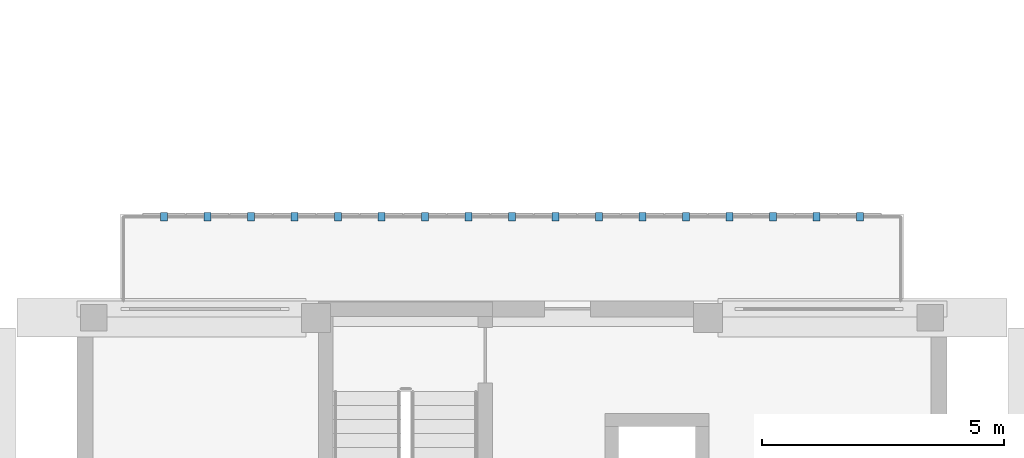
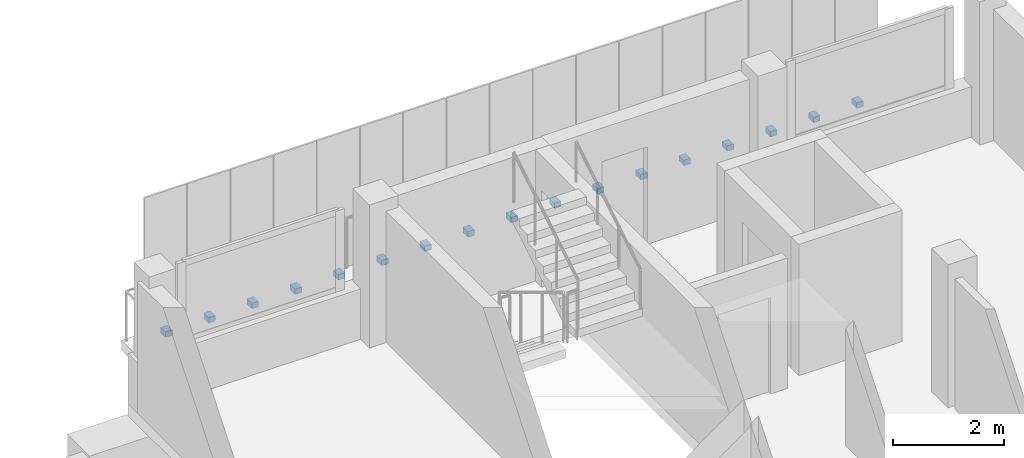
# One storey, part 28 of 41: 17 discrete accessories.
"""IFC4 building model written with IfcOpenShell, lengths in metres."""

from ifc_helpers import new_model, si_unit, derived_unit, direction, frame, origin, origin_2d, place, context, subcontext, project, spatial, rectangle, extrude, material, type_object, element, save


model = new_model("IFC4")

# Units and contexts
model_context = context("Model", 3, precision=1e-05, world=origin(), true_north=direction((0.0, 1.0)))
body_context = subcontext(model_context, "Body", "Model", "MODEL_VIEW")
ifc_project = project(units=[si_unit("LENGTHUNIT", "METRE"), si_unit("AREAUNIT", "SQUARE_METRE"), si_unit("VOLUMEUNIT", "CUBIC_METRE"), si_unit("PLANEANGLEUNIT", "RADIAN"), si_unit("MASSUNIT", "GRAM", prefix="KILO"), derived_unit("THERMALTRANSMITTANCEUNIT", [(si_unit("MASSUNIT", "GRAM", prefix="KILO"), 1), (si_unit("TIMEUNIT", "SECOND"), -3), (si_unit("THERMODYNAMICTEMPERATUREUNIT", "KELVIN"), -1)])], contexts=[model_context])

# Site, building, storey
site_placement = place(None, origin())
site = spatial("IfcSite", under=ifc_project, at=site_placement, CompositionType="ELEMENT")
building_placement = place(site_placement, origin())
building = spatial("IfcBuilding", under=site, at=building_placement, Name="Ochrekiln Boulevard Commons", CompositionType="ELEMENT")
storey_placement = place(building_placement, frame((0.0, 0.0, 21.52490234375)))
storey = spatial("IfcBuildingStorey", under=building, at=storey_placement, Name="L06", CompositionType="ELEMENT", Elevation=21.52490234375)

# Discrete accessories
ifc_material = material(Name="Steel A992 Grade 50", Category="steel")
discrete_accessory_type = type_object("IfcDiscreteAccessoryType", Name="ACC-BRK-CLEAT", PredefinedType="BRACKET", material=ifc_material)
for number, where, z_axis, x_axis, name in (
    (1, (153.0, 52.139892578125, -0.139892578125), (0.0, 0.0, 1.0), (1.0, 0.0, 0.0), "Bronze Screen Slab-Edge Support Bracket 122"),
    (2, (153.89990234375, 52.139892578125, -0.139892578125), (0.0, 0.0, 1.0), (1.0, 0.0, 0.0), "Bronze Screen Slab-Edge Support Bracket 123"),
    (3, (154.800048828125, 52.139892578125, -0.139892578125), (0.0, 0.0, 1.0), (1.0, 0.0, 0.0), "Bronze Screen Slab-Edge Support Bracket 124"),
    (4, (155.699951171875, 52.139892578125, -0.139892578125), (0.0, 0.0, 1.0), (1.0, 0.0, 0.0), "Bronze Screen Slab-Edge Support Bracket 125"),
    (5, (156.60009765625, 52.139892578125, -0.139892578125), (0.0, 0.0, 1.0), (1.0, 0.0, 0.0), "Bronze Screen Slab-Edge Support Bracket 126"),
    (6, (157.5, 52.139892578125, -0.139892578125), (0.0, 0.0, 1.0), (1.0, 0.0, 0.0), "Bronze Screen Slab-Edge Support Bracket 127"),
    (7, (158.39990234375, 52.139892578125, -0.139892578125), (0.0, 0.0, 1.0), (1.0, 0.0, 0.0), "Bronze Screen Slab-Edge Support Bracket 128"),
    (8, (159.300048828125, 52.139892578125, -0.139892578125), (0.0, 0.0, 1.0), (1.0, 0.0, 0.0), "Bronze Screen Slab-Edge Support Bracket 129"),
    (9, (160.199951171875, 52.139892578125, -0.139892578125), (0.0, 0.0, 1.0), (1.0, 0.0, 0.0), "Bronze Screen Slab-Edge Support Bracket 130"),
    (10, (161.10009765625, 52.139892578125, -0.139892578125), (0.0, 0.0, 1.0), (1.0, 0.0, 0.0), "Bronze Screen Slab-Edge Support Bracket 131"),
    (11, (162.0, 52.139892578125, -0.139892578125), (0.0, 0.0, 1.0), (1.0, 0.0, 0.0), "Bronze Screen Slab-Edge Support Bracket 132"),
    (12, (162.89990234375, 52.139892578125, -0.139892578125), (0.0, 0.0, 1.0), (1.0, 0.0, 0.0), "Bronze Screen Slab-Edge Support Bracket 133"),
    (13, (163.800048828125, 52.139892578125, -0.139892578125), (0.0, 0.0, 1.0), (1.0, 0.0, 0.0), "Bronze Screen Slab-Edge Support Bracket 134"),
    (14, (164.699951171875, 52.139892578125, -0.139892578125), (0.0, 0.0, 1.0), (1.0, 0.0, 0.0), "Bronze Screen Slab-Edge Support Bracket 135"),
    (15, (165.60009765625, 52.139892578125, -0.139892578125), (0.0, 0.0, 1.0), (1.0, 0.0, 0.0), "Bronze Screen Slab-Edge Support Bracket 136"),
    (16, (166.5, 52.139892578125, -0.139892578125), (0.0, 0.0, 1.0), (1.0, 0.0, 0.0), "Bronze Screen Slab-Edge Support Bracket 137"),
    (17, (167.39990234375, 52.139892578125, -0.139892578125), (0.0, 0.0, 1.0), (1.0, 0.0, 0.0), "Bronze Screen Slab-Edge Support Bracket 138"),
):
    element("IfcDiscreteAccessory", number, at=place(storey_placement, frame(where, z_axis=z_axis, x_axis=x_axis)), inside=storey, type_object=discrete_accessory_type, Name=name, PredefinedType="BRACKET", context=body_context, shape_type="SweptSolid", body=[
        extrude(rectangle(XDim=0.139892578125, YDim=0.179931640625, at=origin_2d()), origin(), (0.0, 0.0, 1.0), 0.1201171875),
    ])

save(model, "model.ifc")
